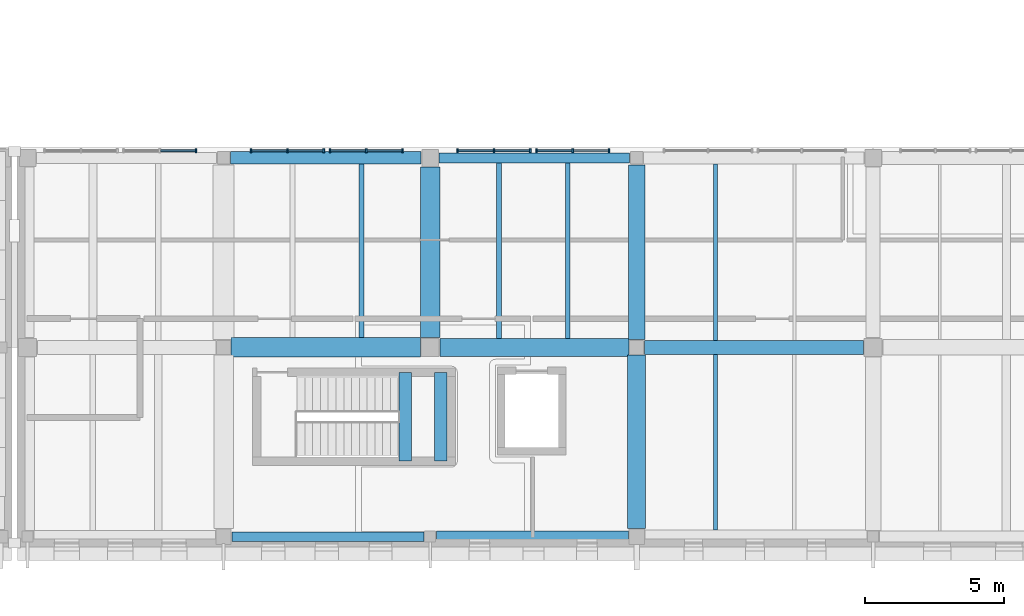
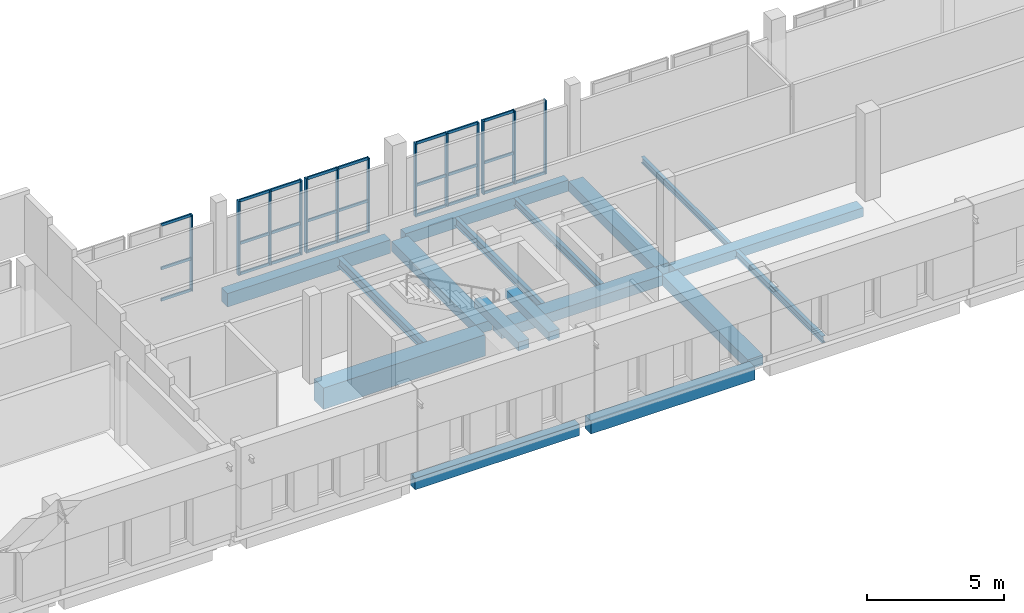
# One storey, part 18 of 76: 38 members, 17 beams, 5 elements without a shape of their own.
"""IFC4 building model written with IfcOpenShell, lengths in metres."""

from ifc_helpers import new_model, si_unit, direction, frame, origin, origin_2d, place, context, subcontext, project, spatial, rectangle, i_section, extrude, material, layer, layer_set, material_profile, profile_set, type_object, element, aggregate, save


model = new_model("IFC4")

# Units and contexts
model_context = context("Model", 3, precision=1e-05, world=origin(), true_north=direction((0.0, 1.0)))
body_context = subcontext(model_context, "Body", "Model", "MODEL_VIEW")
ifc_project = project(units=[si_unit("LENGTHUNIT", "METRE"), si_unit("AREAUNIT", "SQUARE_METRE"), si_unit("VOLUMEUNIT", "CUBIC_METRE"), si_unit("PLANEANGLEUNIT", "RADIAN"), si_unit("MASSUNIT", "GRAM", prefix="KILO")], contexts=[model_context])

# Site, building, storey
site_placement = place(None, origin())
site = spatial("IfcSite", under=ifc_project, at=site_placement, CompositionType="ELEMENT")
building_placement = place(site_placement, origin())
building = spatial("IfcBuilding", under=site, at=building_placement, Name="Vardoun Plaza Health Centre", CompositionType="ELEMENT")
storey_placement = place(building_placement, frame((0.0, 0.0, 4.5)))
storey = spatial("IfcBuildingStorey", under=building, at=storey_placement, Name="L01", CompositionType="ELEMENT", Elevation=4.5)

# Beams
ifc_material_1 = material(Name="Concrete C35/45", Category="concrete")
ifc_material_profile_1 = material_profile(ifc_material_1, rectangle(XDim=0.35009765625, YDim=0.5, at=origin_2d()), Name="RC-BM 350x500")
ifc_profile_set_1 = profile_set([ifc_material_profile_1], Name="Concrete C35/45")
beam_type_1 = type_object("IfcBeamType", Name="B-08", PredefinedType="SPANDREL", material=ifc_profile_set_1)
beam_1_placement = place(storey_placement, frame((113.400146484375, 4.8798828125, -0.544921875), z_axis=(1.0, 0.0, 0.0), x_axis=(0.0, 1.0, 0.0)))
element("IfcBeam", 1, at=beam_1_placement, inside=storey, type_object=beam_type_1, Name="V5 L01 Beam B-V5-L01-X04", PredefinedType="SPANDREL", context=body_context, shape_type="SweptSolid", body=[
    extrude(rectangle(XDim=0.35009765625, YDim=0.5, at=origin_2d()), origin(), (0.0, 0.0, 1.0), 6.9150390625),
])
beam_2_placement = place(storey_placement, frame((120.864990234375, 18.52001953125, -0.544921875), z_axis=(1.0, 0.0, 0.0), x_axis=(0.0, 1.0, 0.0)))
element("IfcBeam", 2, at=beam_2_placement, inside=storey, type_object=beam_type_1, Name="V5 L01 Beam B-V5-L01-X09", PredefinedType="SPANDREL", context=body_context, shape_type="SweptSolid", body=[
    extrude(rectangle(XDim=0.35009765625, YDim=0.5, at=origin_2d()), origin(), (0.0, 0.0, 1.0), 6.864990234375),
])
ifc_material_2 = material(Name="Concrete C35/45", Category="concrete")
ifc_material_profile_2 = material_profile(ifc_material_2, rectangle(XDim=0.419921875, YDim=0.580078125, at=origin_2d()), Name="RC-BM 420x580")
ifc_profile_set_2 = profile_set([ifc_material_profile_2], Name="Concrete C35/45")
beam_type_2 = type_object("IfcBeamType", Name="B-10", PredefinedType="SPANDREL", material=ifc_profile_set_2)
beam_3_placement = place(storey_placement, frame((120.764892578125, 4.8798828125, -0.5849609375), z_axis=(1.0, 0.0, 0.0), x_axis=(0.0, 1.0, 0.0)))
element("IfcBeam", 3, at=beam_3_placement, inside=storey, type_object=beam_type_2, Name="V5 L01 Beam B-V5-L01-X07", PredefinedType="SPANDREL", context=body_context, shape_type="SweptSolid", body=[
    extrude(rectangle(XDim=0.419921875, YDim=0.580078125, at=origin_2d()), origin(), (0.0, 0.0, 1.0), 6.9150390625),
])
ifc_material_3 = material(Name="Concrete C35/45", Category="concrete")
ifc_material_profile_3 = material_profile(ifc_material_3, rectangle(XDim=0.449951171875, YDim=0.3798828125, at=origin_2d()), Name="RC-BM 450x380")
ifc_profile_set_3 = profile_set([ifc_material_profile_3], Name="Concrete C35/45")
beam_type_3 = type_object("IfcBeamType", Name="B-01", PredefinedType="BEAM", material=ifc_profile_set_3)
for number, where, z_axis, x_axis, name in (
    (4, (119.639892578125, 7.60009765625, 1.7099609375), (0.0, 1.0, 0.0), (-1.0, 0.0, 0.0), "Stair ST-C8-L01 Landing Beam 1"),
    (5, (120.919921875, 7.60009765625, 1.7099609375), (0.0, 1.0, 0.0), (-1.0, 0.0, 0.0), "Stair ST-C8-L01 Landing Beam 2"),
):
    element("IfcBeam", number, at=place(storey_placement, frame(where, z_axis=z_axis, x_axis=x_axis)), inside=storey, type_object=beam_type_3, Name=name, PredefinedType="BEAM", context=body_context, shape_type="SweptSolid", body=[
        extrude(rectangle(XDim=0.449951171875, YDim=0.3798828125, at=origin_2d()), origin(), (0.0, 0.0, 1.0), 3.199951171875),
    ])
ifc_material_4 = material(Name="Concrete C35/45", Category="concrete")
ifc_material_profile_4 = material_profile(ifc_material_4, rectangle(XDim=0.449951171875, YDim=0.60009765625, at=origin_2d()), Name="RC-BM 450x600")
ifc_profile_set_4 = profile_set([ifc_material_profile_4], Name="Concrete C35/45")
beam_type_4 = type_object("IfcBeamType", Name="B-11", PredefinedType="SPANDREL", material=ifc_profile_set_4)
beam_4_placement = place(storey_placement, frame((113.35009765625, 18.52001953125, -0.594970703125), z_axis=(1.0, 0.0, 0.0), x_axis=(0.0, 1.0, 0.0)))
element("IfcBeam", 6, at=beam_4_placement, inside=storey, type_object=beam_type_4, Name="V5 L01 Beam B-V5-L01-X06", PredefinedType="SPANDREL", context=body_context, shape_type="SweptSolid", body=[
    extrude(rectangle(XDim=0.449951171875, YDim=0.60009765625, at=origin_2d()), origin(), (0.0, 0.0, 1.0), 6.864990234375),
])
ifc_material_5 = material(Name="Concrete C35/45", Category="concrete")
ifc_material_profile_5 = material_profile(ifc_material_5, rectangle(XDim=0.5, YDim=0.39990234375, at=origin_2d()), Name="RC-BM 500x400")
ifc_profile_set_5 = profile_set([ifc_material_profile_5], Name="Concrete C35/45")
beam_type_5 = type_object("IfcBeamType", Name="B-02", PredefinedType="BEAM", material=ifc_profile_set_5)
beam_5_placement = place(storey_placement, frame((128.2548828125, 11.699951171875, -0.4951171875), z_axis=(1.0, 0.0, 0.0), x_axis=(0.0, 1.0, 0.0)))
element("IfcBeam", 7, at=beam_5_placement, inside=storey, type_object=beam_type_5, Name="V5 L01 Beam B-V5-L01-X11", PredefinedType="BEAM", context=body_context, shape_type="SweptSolid", body=[
    extrude(rectangle(XDim=0.5, YDim=0.39990234375, at=origin_2d()), origin(), (0.0, 0.0, 1.0), 7.89501953125),
])
ifc_material_6 = material(Name="Concrete C35/45", Category="concrete")
ifc_material_profile_6 = material_profile(ifc_material_6, rectangle(XDim=0.60009765625, YDim=0.449951171875, at=origin_2d()), Name="RC-BM 600x450")
ifc_profile_set_6 = profile_set([ifc_material_profile_6], Name="Concrete C35/45")
beam_type_6 = type_object("IfcBeamType", Name="B-04", PredefinedType="BEAM", material=ifc_profile_set_6)
beam_6_placement = place(storey_placement, frame((127.97998046875, 11.97509765625, -0.52001953125), z_axis=(0.0, 1.0, 0.0), x_axis=(-1.0, 0.0, 0.0)))
element("IfcBeam", 8, at=beam_6_placement, inside=storey, type_object=beam_type_6, Name="V5 L01 Beam B-V5-L01-Y31", PredefinedType="BEAM", context=body_context, shape_type="SweptSolid", body=[
    extrude(rectangle(XDim=0.60009765625, YDim=0.449951171875, at=origin_2d()), origin(), (0.0, 0.0, 1.0), 6.294921875),
])
ifc_material_7 = material(Name="Concrete C35/45", Category="concrete")
ifc_material_profile_7 = material_profile(ifc_material_7, rectangle(XDim=0.64990234375, YDim=0.449951171875, at=origin_2d()), Name="RC-BM 650x450")
ifc_profile_set_7 = profile_set([ifc_material_profile_7], Name="Concrete C35/45")
beam_type_7 = type_object("IfcBeamType", Name="B-05", PredefinedType="BEAM", material=ifc_profile_set_7)
beam_7_placement = place(storey_placement, frame((120.889892578125, 11.699951171875, -0.52001953125), z_axis=(1.0, 0.0, 0.0), x_axis=(0.0, 1.0, 0.0)))
element("IfcBeam", 9, at=beam_7_placement, inside=storey, type_object=beam_type_7, Name="V5 L01 Beam B-V5-L01-X08", PredefinedType="BEAM", context=body_context, shape_type="SweptSolid", body=[
    extrude(rectangle(XDim=0.64990234375, YDim=0.449951171875, at=origin_2d()), origin(), (0.0, 0.0, 1.0), 6.815185546875),
])
beam_8_placement = place(storey_placement, frame((127.97998046875, 5.179931640625, -0.52001953125), z_axis=(0.0, 1.0, 0.0), x_axis=(-1.0, 0.0, 0.0)))
element("IfcBeam", 10, at=beam_8_placement, inside=storey, type_object=beam_type_7, Name="V5 L01 Beam B-V5-L01-Y30", PredefinedType="BEAM", context=body_context, shape_type="SweptSolid", body=[
    extrude(rectangle(XDim=0.64990234375, YDim=0.449951171875, at=origin_2d()), origin(), (0.0, 0.0, 1.0), 6.2451171875),
])
ifc_material_8 = material(Name="Concrete C35/45", Category="concrete")
ifc_material_profile_8 = material_profile(ifc_material_8, rectangle(XDim=0.699951171875, YDim=0.449951171875, at=origin_2d()), Name="RC-BM 700x450")
ifc_profile_set_8 = profile_set([ifc_material_profile_8], Name="Concrete C35/45")
beam_type_8 = type_object("IfcBeamType", Name="B-06", PredefinedType="BEAM", material=ifc_profile_set_8)
beam_9_placement = place(storey_placement, frame((120.5400390625, 12.050048828125, -0.52001953125), z_axis=(0.0, 1.0, 0.0), x_axis=(-1.0, 0.0, 0.0)))
element("IfcBeam", 11, at=beam_9_placement, inside=storey, type_object=beam_type_8, Name="V5 L01 Beam B-V5-L01-Y29", PredefinedType="BEAM", context=body_context, shape_type="SweptSolid", body=[
    extrude(rectangle(XDim=0.699951171875, YDim=0.449951171875, at=origin_2d()), origin(), (0.0, 0.0, 1.0), 6.14501953125),
])
ifc_material_9 = material(Name="Concrete C40/50", Category="concrete")
ifc_material_profile_9 = material_profile(ifc_material_9, rectangle(XDim=0.699951171875, YDim=0.949951171875, at=origin_2d()), Name="RC-BM 700x950")
ifc_profile_set_9 = profile_set([ifc_material_profile_9], Name="Concrete C40/50")
beam_type_9 = type_object("IfcBeamType", Name="B-16", PredefinedType="LINTEL", material=ifc_profile_set_9)
beam_10_placement = place(storey_placement, frame((113.375, 11.699951171875, -0.77001953125), z_axis=(1.0, 0.0, 0.0), x_axis=(0.0, 1.0, 0.0)))
element("IfcBeam", 12, at=beam_10_placement, inside=storey, type_object=beam_type_9, Name="V5 L01 Beam B-V5-L01-X05", PredefinedType="LINTEL", context=body_context, shape_type="SweptSolid", body=[
    extrude(rectangle(XDim=0.699951171875, YDim=0.949951171875, at=origin_2d()), origin(), (0.0, 0.0, 1.0), 6.815185546875),
])
ifc_material_10 = material(Name="Steel S355J2", Category="steel")
ifc_material_profile_10 = material_profile(ifc_material_10, i_section(OverallWidth=0.135009765625, OverallDepth=0.27001953125, WebThickness=0.006591796875, FlangeThickness=0.01025390625, FilletRadius=0.014892578125, at=origin_2d()), Name="IPE 270")
ifc_profile_set_10 = profile_set([ifc_material_profile_10], Name="Steel S355J2")
beam_type_10 = type_object("IfcBeamType", Name="SB-16", PredefinedType="JOIST", material=ifc_profile_set_10)
beam_11_placement = place(storey_placement, frame((130.819580078125, 11.949951171875, -0.429931640625), z_axis=(0.0, 1.0, 0.0), x_axis=(-1.0, 0.0, 0.0)))
element("IfcBeam", 13, at=beam_11_placement, inside=storey, type_object=beam_type_10, Name="V5 L01 Secondary Floor Beam SJ-V5-L01-10", PredefinedType="JOIST", context=body_context, shape_type="SweptSolid", body=[
    extrude(i_section(OverallWidth=0.135009765625, OverallDepth=0.27001953125, WebThickness=0.006591796875, FlangeThickness=0.01025390625, FilletRadius=0.014892578125, at=origin_2d()), origin(), (0.0, 0.0, 1.0), 6.360107421875),
])
ifc_material_11 = material(Name="Steel S355J2", Category="steel")
ifc_material_profile_11 = material_profile(ifc_material_11, i_section(OverallWidth=0.14990234375, OverallDepth=0.300048828125, WebThickness=0.007080078125, FlangeThickness=0.0107421875, FilletRadius=0.014892578125, at=origin_2d()), Name="IPE 300")
ifc_profile_set_11 = profile_set([ifc_material_profile_11], Name="Steel S355J2")
beam_type_11 = type_object("IfcBeamType", Name="SB-15", PredefinedType="JOIST", material=ifc_profile_set_11)
beam_12_placement = place(storey_placement, frame((130.819580078125, 5.1201171875, -0.445068359375), z_axis=(0.0, 1.0, 0.0), x_axis=(-1.0, 0.0, 0.0)))
element("IfcBeam", 14, at=beam_12_placement, inside=storey, type_object=beam_type_11, Name="V5 L01 Secondary Floor Beam SJ-V5-L01-09", PredefinedType="JOIST", context=body_context, shape_type="SweptSolid", body=[
    extrude(i_section(OverallWidth=0.14990234375, OverallDepth=0.300048828125, WebThickness=0.007080078125, FlangeThickness=0.0107421875, FilletRadius=0.014892578125, at=origin_2d()), origin(), (0.0, 0.0, 1.0), 6.329833984375),
])
ifc_material_12 = material(Name="Steel S355J2", Category="steel")
ifc_material_profile_12 = material_profile(ifc_material_12, i_section(OverallWidth=0.159912109375, OverallDepth=0.330078125, WebThickness=0.007568359375, FlangeThickness=0.011474609375, FilletRadius=0.01806640625, at=origin_2d()), Name="IPE 330")
ifc_profile_set_12 = profile_set([ifc_material_profile_12], Name="Steel S355J2")
beam_type_12 = type_object("IfcBeamType", Name="SB-14", PredefinedType="JOIST", material=ifc_profile_set_12)
beam_13_placement = place(storey_placement, frame((125.500244140625, 12.02490234375, -0.4599609375), z_axis=(0.0, 1.0, 0.0), x_axis=(-1.0, 0.0, 0.0)))
element("IfcBeam", 15, at=beam_13_placement, inside=storey, type_object=beam_type_12, Name="V5 L01 Secondary Floor Beam SJ-V5-L01-08", PredefinedType="JOIST", context=body_context, shape_type="SweptSolid", body=[
    extrude(i_section(OverallWidth=0.159912109375, OverallDepth=0.330078125, WebThickness=0.007568359375, FlangeThickness=0.011474609375, FilletRadius=0.01806640625, at=origin_2d()), origin(), (0.0, 0.0, 1.0), 6.320068359375),
])
ifc_material_13 = material(Name="Steel S355J2", Category="steel")
ifc_material_profile_13 = material_profile(ifc_material_13, i_section(OverallWidth=0.169921875, OverallDepth=0.360107421875, WebThickness=0.008056640625, FlangeThickness=0.0126953125, FilletRadius=0.01806640625, at=origin_2d()), Name="IPE 360")
ifc_profile_set_13 = profile_set([ifc_material_profile_13], Name="Steel S355J2")
beam_type_13 = type_object("IfcBeamType", Name="SB-13", PredefinedType="JOIST", material=ifc_profile_set_13)
beam_14_placement = place(storey_placement, frame((123.019775390625, 12.02490234375, -0.47509765625), z_axis=(0.0, 1.0, 0.0), x_axis=(-1.0, 0.0, 0.0)))
element("IfcBeam", 16, at=beam_14_placement, inside=storey, type_object=beam_type_13, Name="V5 L01 Secondary Floor Beam SJ-V5-L01-07", PredefinedType="JOIST", context=body_context, shape_type="SweptSolid", body=[
    extrude(i_section(OverallWidth=0.169921875, OverallDepth=0.360107421875, WebThickness=0.008056640625, FlangeThickness=0.0126953125, FilletRadius=0.01806640625, at=origin_2d()), origin(), (0.0, 0.0, 1.0), 6.320068359375),
])
ifc_material_14 = material(Name="Steel S355J2", Category="steel")
ifc_material_profile_14 = material_profile(ifc_material_14, i_section(OverallWidth=0.179931640625, OverallDepth=0.39990234375, WebThickness=0.008544921875, FlangeThickness=0.013427734375, FilletRadius=0.02099609375, at=origin_2d()), Name="IPE 400")
ifc_profile_set_14 = profile_set([ifc_material_profile_14], Name="Steel S355J2")
beam_type_14 = type_object("IfcBeamType", Name="SB-12", PredefinedType="BEAM", material=ifc_profile_set_14)
beam_15_placement = place(storey_placement, frame((118.060302734375, 12.050048828125, -0.4951171875), z_axis=(0.0, 1.0, 0.0), x_axis=(-1.0, 0.0, 0.0)))
element("IfcBeam", 17, at=beam_15_placement, inside=storey, type_object=beam_type_14, Name="V5 L01 Secondary Floor Beam SJ-V5-L01-06", PredefinedType="BEAM", context=body_context, shape_type="SweptSolid", body=[
    extrude(i_section(OverallWidth=0.179931640625, OverallDepth=0.39990234375, WebThickness=0.008544921875, FlangeThickness=0.013427734375, FilletRadius=0.02099609375, at=origin_2d()), origin(), (0.0, 0.0, 1.0), 6.244873046875),
])

# Curtain wall, member
ifc_material_15 = material(Name="Aluminium Alloy EN AW-6063-T6 and Low-E Glass", Category="aluminium")
ifc_layer = layer(ifc_material_15, 0.14990234375)
ifc_layer_set = layer_set([ifc_layer], Name="Aluminium Alloy EN AW-6063-T6 and Low-E Glass")
curtain_wall_type = type_object("IfcCurtainWallType", Name="CW-03", PredefinedType="NOTDEFINED", material=ifc_layer_set)
curtain_wall_1_placement = place(storey_placement, origin())
curtain_wall_1 = element("IfcCurtainWall", 18, at=curtain_wall_1_placement, inside=storey, type_object=curtain_wall_type, Name="Curtain Wall CW-V5-150", PredefinedType="NOTDEFINED")
ifc_material_16 = material(Name="Aluminium Alloy EN AW-6063-T6", Category="aluminium")
ifc_material_profile_15 = material_profile(ifc_material_16, rectangle(XDim=0.159912109375, YDim=0.06005859375, at=origin_2d()), Name="CWM 60x160")
ifc_profile_set_15 = profile_set([ifc_material_profile_15], Name="Aluminium Alloy EN AW-6063-T6")
member_type_1 = type_object("IfcMemberType", Name="CW-M1", PredefinedType="MULLION", material=ifc_profile_set_15)
member_1_placement = place(storey_placement, frame((112.110107421875, 18.780029296875, 0.0), z_axis=(0.0, 0.0, 1.0), x_axis=(0.0, 1.0, 0.0)))
member_1 = element("IfcMember", 19, at=member_1_placement, type_object=member_type_1, Name="CW-V5-150 mullion 3", PredefinedType="MULLION", context=body_context, shape_type="SweptSolid", body=[
    extrude(rectangle(XDim=0.159912109375, YDim=0.06005859375, at=origin_2d()), origin(), (0.0, 0.0, 1.0), 3.389892578125),
])

# Curtain wall, members
curtain_wall_2_placement = place(storey_placement, origin())
curtain_wall_2 = element("IfcCurtainWall", 20, at=curtain_wall_2_placement, inside=storey, type_object=curtain_wall_type, Name="Curtain Wall CW-V5-151", PredefinedType="NOTDEFINED")
member_2_placement = place(storey_placement, frame((114.090087890625, 18.780029296875, 0.0), z_axis=(0.0, 0.0, 1.0), x_axis=(0.0, 1.0, 0.0)))
member_2 = element("IfcMember", 21, at=member_2_placement, type_object=member_type_1, Name="CW-V5-151 mullion 1", PredefinedType="MULLION", context=body_context, shape_type="SweptSolid", body=[
    extrude(rectangle(XDim=0.159912109375, YDim=0.06005859375, at=origin_2d()), origin(), (0.0, 0.0, 1.0), 3.31005859375),
])
member_3_placement = place(storey_placement, frame((115.400146484375, 18.780029296875, 0.0), z_axis=(0.0, 0.0, 1.0), x_axis=(0.0, 1.0, 0.0)))
member_3 = element("IfcMember", 22, at=member_3_placement, type_object=member_type_1, Name="CW-V5-151 mullion 2", PredefinedType="MULLION", context=body_context, shape_type="SweptSolid", body=[
    extrude(rectangle(XDim=0.159912109375, YDim=0.06005859375, at=origin_2d()), origin(), (0.0, 0.0, 1.0), 3.31005859375),
])
member_4_placement = place(storey_placement, frame((116.7099609375, 18.780029296875, 0.0), z_axis=(0.0, 0.0, 1.0), x_axis=(0.0, 1.0, 0.0)))
member_4 = element("IfcMember", 23, at=member_4_placement, type_object=member_type_1, Name="CW-V5-151 mullion 3", PredefinedType="MULLION", context=body_context, shape_type="SweptSolid", body=[
    extrude(rectangle(XDim=0.159912109375, YDim=0.06005859375, at=origin_2d()), origin(), (0.0, 0.0, 1.0), 3.31005859375),
])

curtain_wall_3_placement = place(storey_placement, origin())
curtain_wall_3 = element("IfcCurtainWall", 24, at=curtain_wall_3_placement, inside=storey, type_object=curtain_wall_type, Name="Curtain Wall CW-V5-152", PredefinedType="NOTDEFINED")
member_5_placement = place(storey_placement, frame((116.929931640625, 18.780029296875, 0.0), z_axis=(0.0, 0.0, 1.0), x_axis=(0.0, 1.0, 0.0)))
member_5 = element("IfcMember", 25, at=member_5_placement, type_object=member_type_1, Name="CW-V5-152 mullion 1", PredefinedType="MULLION", context=body_context, shape_type="SweptSolid", body=[
    extrude(rectangle(XDim=0.159912109375, YDim=0.06005859375, at=origin_2d()), origin(), (0.0, 0.0, 1.0), 3.31005859375),
])
member_6_placement = place(storey_placement, frame((118.239990234375, 18.780029296875, 0.0), z_axis=(0.0, 0.0, 1.0), x_axis=(0.0, 1.0, 0.0)))
member_6 = element("IfcMember", 26, at=member_6_placement, type_object=member_type_1, Name="CW-V5-152 mullion 2", PredefinedType="MULLION", context=body_context, shape_type="SweptSolid", body=[
    extrude(rectangle(XDim=0.159912109375, YDim=0.06005859375, at=origin_2d()), origin(), (0.0, 0.0, 1.0), 3.31005859375),
])
member_7_placement = place(storey_placement, frame((119.550048828125, 18.780029296875, 0.0), z_axis=(0.0, 0.0, 1.0), x_axis=(0.0, 1.0, 0.0)))
member_7 = element("IfcMember", 27, at=member_7_placement, type_object=member_type_1, Name="CW-V5-152 mullion 3", PredefinedType="MULLION", context=body_context, shape_type="SweptSolid", body=[
    extrude(rectangle(XDim=0.159912109375, YDim=0.06005859375, at=origin_2d()), origin(), (0.0, 0.0, 1.0), 3.31005859375),
])

curtain_wall_4_placement = place(storey_placement, origin())
curtain_wall_4 = element("IfcCurtainWall", 28, at=curtain_wall_4_placement, inside=storey, type_object=curtain_wall_type, Name="Curtain Wall CW-V5-153", PredefinedType="NOTDEFINED")
member_8_placement = place(storey_placement, frame((121.530029296875, 18.780029296875, 0.0), z_axis=(0.0, 0.0, 1.0), x_axis=(0.0, 1.0, 0.0)))
member_8 = element("IfcMember", 29, at=member_8_placement, type_object=member_type_1, Name="CW-V5-153 mullion 1", PredefinedType="MULLION", context=body_context, shape_type="SweptSolid", body=[
    extrude(rectangle(XDim=0.159912109375, YDim=0.06005859375, at=origin_2d()), origin(), (0.0, 0.0, 1.0), 3.27001953125),
])
member_9_placement = place(storey_placement, frame((122.840087890625, 18.780029296875, 0.0), z_axis=(0.0, 0.0, 1.0), x_axis=(0.0, 1.0, 0.0)))
member_9 = element("IfcMember", 30, at=member_9_placement, type_object=member_type_1, Name="CW-V5-153 mullion 2", PredefinedType="MULLION", context=body_context, shape_type="SweptSolid", body=[
    extrude(rectangle(XDim=0.159912109375, YDim=0.06005859375, at=origin_2d()), origin(), (0.0, 0.0, 1.0), 3.27001953125),
])
member_10_placement = place(storey_placement, frame((124.150146484375, 18.780029296875, 0.0), z_axis=(0.0, 0.0, 1.0), x_axis=(0.0, 1.0, 0.0)))
member_10 = element("IfcMember", 31, at=member_10_placement, type_object=member_type_1, Name="CW-V5-153 mullion 3", PredefinedType="MULLION", context=body_context, shape_type="SweptSolid", body=[
    extrude(rectangle(XDim=0.159912109375, YDim=0.06005859375, at=origin_2d()), origin(), (0.0, 0.0, 1.0), 3.27001953125),
])

curtain_wall_5_placement = place(storey_placement, origin())
curtain_wall_5 = element("IfcCurtainWall", 32, at=curtain_wall_5_placement, inside=storey, type_object=curtain_wall_type, Name="Curtain Wall CW-V5-154", PredefinedType="NOTDEFINED")
member_11_placement = place(storey_placement, frame((124.3701171875, 18.780029296875, 0.0), z_axis=(0.0, 0.0, 1.0), x_axis=(0.0, 1.0, 0.0)))
member_11 = element("IfcMember", 33, at=member_11_placement, type_object=member_type_1, Name="CW-V5-154 mullion 1", PredefinedType="MULLION", context=body_context, shape_type="SweptSolid", body=[
    extrude(rectangle(XDim=0.159912109375, YDim=0.06005859375, at=origin_2d()), origin(), (0.0, 0.0, 1.0), 3.27001953125),
])
member_12_placement = place(storey_placement, frame((125.679931640625, 18.780029296875, 0.0), z_axis=(0.0, 0.0, 1.0), x_axis=(0.0, 1.0, 0.0)))
member_12 = element("IfcMember", 34, at=member_12_placement, type_object=member_type_1, Name="CW-V5-154 mullion 2", PredefinedType="MULLION", context=body_context, shape_type="SweptSolid", body=[
    extrude(rectangle(XDim=0.159912109375, YDim=0.06005859375, at=origin_2d()), origin(), (0.0, 0.0, 1.0), 3.27001953125),
])
member_13_placement = place(storey_placement, frame((126.989990234375, 18.780029296875, 0.0), z_axis=(0.0, 0.0, 1.0), x_axis=(0.0, 1.0, 0.0)))
member_13 = element("IfcMember", 35, at=member_13_placement, type_object=member_type_1, Name="CW-V5-154 mullion 3", PredefinedType="MULLION", context=body_context, shape_type="SweptSolid", body=[
    extrude(rectangle(XDim=0.159912109375, YDim=0.06005859375, at=origin_2d()), origin(), (0.0, 0.0, 1.0), 3.27001953125),
])

# Member
ifc_material_17 = material(Name="Aluminium Alloy EN AW-6063-T6", Category="aluminium")
ifc_material_profile_16 = material_profile(ifc_material_17, rectangle(XDim=0.06005859375, YDim=0.1201171875, at=origin_2d()), Name="CWT 60x120")
ifc_profile_set_16 = profile_set([ifc_material_profile_16], Name="Aluminium Alloy EN AW-6063-T6")
member_type_2 = type_object("IfcMemberType", Name="CW-T1", PredefinedType="USERDEFINED", material=ifc_profile_set_16)
member_14_placement = place(storey_placement, frame((110.830078125, 18.780029296875, 0.030029296875), z_axis=(1.0, 0.0, 0.0), x_axis=(0.0, 1.0, 0.0)))
member_14 = element("IfcMember", 36, at=member_14_placement, type_object=member_type_2, Name="CW-V5-150 transom 2.1", ObjectType="TRANSOM", PredefinedType="USERDEFINED", context=body_context, shape_type="SweptSolid", body=[
    extrude(rectangle(XDim=0.06005859375, YDim=0.1201171875, at=origin_2d()), origin(), (0.0, 0.0, 1.0), 1.25),
])

member_15_placement = place(storey_placement, frame((110.830078125, 18.780029296875, 1.423828125), z_axis=(1.0, 0.0, 0.0), x_axis=(0.0, 1.0, 0.0)))
member_15 = element("IfcMember", 37, at=member_15_placement, type_object=member_type_2, Name="CW-V5-150 transom 2.2", ObjectType="TRANSOM", PredefinedType="USERDEFINED", context=body_context, shape_type="SweptSolid", body=[
    extrude(rectangle(XDim=0.06005859375, YDim=0.1201171875, at=origin_2d()), origin(), (0.0, 0.0, 1.0), 1.25),
])

member_16_placement = place(storey_placement, frame((110.830078125, 18.780029296875, 3.360107421875), z_axis=(1.0, 0.0, 0.0), x_axis=(0.0, 1.0, 0.0)))
member_16 = element("IfcMember", 38, at=member_16_placement, type_object=member_type_2, Name="CW-V5-150 transom 2.3", ObjectType="TRANSOM", PredefinedType="USERDEFINED", context=body_context, shape_type="SweptSolid", body=[
    extrude(rectangle(XDim=0.06005859375, YDim=0.1201171875, at=origin_2d()), origin(), (0.0, 0.0, 1.0), 1.25),
])

aggregate(curtain_wall_1, [member_1, member_14, member_15, member_16])

member_17_placement = place(storey_placement, frame((114.1201171875, 18.780029296875, 0.030029296875), z_axis=(1.0, 0.0, 0.0), x_axis=(0.0, 1.0, 0.0)))
member_17 = element("IfcMember", 39, at=member_17_placement, type_object=member_type_2, Name="CW-V5-151 transom 1.1", ObjectType="TRANSOM", PredefinedType="USERDEFINED", context=body_context, shape_type="SweptSolid", body=[
    extrude(rectangle(XDim=0.06005859375, YDim=0.1201171875, at=origin_2d()), origin(), (0.0, 0.0, 1.0), 1.25),
])

member_18_placement = place(storey_placement, frame((114.1201171875, 18.780029296875, 1.39013671875), z_axis=(1.0, 0.0, 0.0), x_axis=(0.0, 1.0, 0.0)))
member_18 = element("IfcMember", 40, at=member_18_placement, type_object=member_type_2, Name="CW-V5-151 transom 1.2", ObjectType="TRANSOM", PredefinedType="USERDEFINED", context=body_context, shape_type="SweptSolid", body=[
    extrude(rectangle(XDim=0.06005859375, YDim=0.1201171875, at=origin_2d()), origin(), (0.0, 0.0, 1.0), 1.25),
])

member_19_placement = place(storey_placement, frame((114.1201171875, 18.780029296875, 3.280029296875), z_axis=(1.0, 0.0, 0.0), x_axis=(0.0, 1.0, 0.0)))
member_19 = element("IfcMember", 41, at=member_19_placement, type_object=member_type_2, Name="CW-V5-151 transom 1.3", ObjectType="TRANSOM", PredefinedType="USERDEFINED", context=body_context, shape_type="SweptSolid", body=[
    extrude(rectangle(XDim=0.06005859375, YDim=0.1201171875, at=origin_2d()), origin(), (0.0, 0.0, 1.0), 1.25),
])

member_20_placement = place(storey_placement, frame((115.429931640625, 18.780029296875, 0.030029296875), z_axis=(1.0, 0.0, 0.0), x_axis=(0.0, 1.0, 0.0)))
member_20 = element("IfcMember", 42, at=member_20_placement, type_object=member_type_2, Name="CW-V5-151 transom 2.1", ObjectType="TRANSOM", PredefinedType="USERDEFINED", context=body_context, shape_type="SweptSolid", body=[
    extrude(rectangle(XDim=0.06005859375, YDim=0.1201171875, at=origin_2d()), origin(), (0.0, 0.0, 1.0), 1.25),
])

member_21_placement = place(storey_placement, frame((115.429931640625, 18.780029296875, 1.39013671875), z_axis=(1.0, 0.0, 0.0), x_axis=(0.0, 1.0, 0.0)))
member_21 = element("IfcMember", 43, at=member_21_placement, type_object=member_type_2, Name="CW-V5-151 transom 2.2", ObjectType="TRANSOM", PredefinedType="USERDEFINED", context=body_context, shape_type="SweptSolid", body=[
    extrude(rectangle(XDim=0.06005859375, YDim=0.1201171875, at=origin_2d()), origin(), (0.0, 0.0, 1.0), 1.25),
])

member_22_placement = place(storey_placement, frame((115.429931640625, 18.780029296875, 3.280029296875), z_axis=(1.0, 0.0, 0.0), x_axis=(0.0, 1.0, 0.0)))
member_22 = element("IfcMember", 44, at=member_22_placement, type_object=member_type_2, Name="CW-V5-151 transom 2.3", ObjectType="TRANSOM", PredefinedType="USERDEFINED", context=body_context, shape_type="SweptSolid", body=[
    extrude(rectangle(XDim=0.06005859375, YDim=0.1201171875, at=origin_2d()), origin(), (0.0, 0.0, 1.0), 1.25),
])

aggregate(curtain_wall_2, [member_2, member_3, member_4, member_17, member_18, member_19, member_20, member_21, member_22])

member_23_placement = place(storey_placement, frame((116.9599609375, 18.780029296875, 0.030029296875), z_axis=(1.0, 0.0, 0.0), x_axis=(0.0, 1.0, 0.0)))
member_23 = element("IfcMember", 45, at=member_23_placement, type_object=member_type_2, Name="CW-V5-152 transom 1.1", ObjectType="TRANSOM", PredefinedType="USERDEFINED", context=body_context, shape_type="SweptSolid", body=[
    extrude(rectangle(XDim=0.06005859375, YDim=0.1201171875, at=origin_2d()), origin(), (0.0, 0.0, 1.0), 1.25),
])

member_24_placement = place(storey_placement, frame((116.9599609375, 18.780029296875, 1.39013671875), z_axis=(1.0, 0.0, 0.0), x_axis=(0.0, 1.0, 0.0)))
member_24 = element("IfcMember", 46, at=member_24_placement, type_object=member_type_2, Name="CW-V5-152 transom 1.2", ObjectType="TRANSOM", PredefinedType="USERDEFINED", context=body_context, shape_type="SweptSolid", body=[
    extrude(rectangle(XDim=0.06005859375, YDim=0.1201171875, at=origin_2d()), origin(), (0.0, 0.0, 1.0), 1.25),
])

member_25_placement = place(storey_placement, frame((116.9599609375, 18.780029296875, 3.280029296875), z_axis=(1.0, 0.0, 0.0), x_axis=(0.0, 1.0, 0.0)))
member_25 = element("IfcMember", 47, at=member_25_placement, type_object=member_type_2, Name="CW-V5-152 transom 1.3", ObjectType="TRANSOM", PredefinedType="USERDEFINED", context=body_context, shape_type="SweptSolid", body=[
    extrude(rectangle(XDim=0.06005859375, YDim=0.1201171875, at=origin_2d()), origin(), (0.0, 0.0, 1.0), 1.25),
])

member_26_placement = place(storey_placement, frame((118.27001953125, 18.780029296875, 0.030029296875), z_axis=(1.0, 0.0, 0.0), x_axis=(0.0, 1.0, 0.0)))
member_26 = element("IfcMember", 48, at=member_26_placement, type_object=member_type_2, Name="CW-V5-152 transom 2.1", ObjectType="TRANSOM", PredefinedType="USERDEFINED", context=body_context, shape_type="SweptSolid", body=[
    extrude(rectangle(XDim=0.06005859375, YDim=0.1201171875, at=origin_2d()), origin(), (0.0, 0.0, 1.0), 1.25),
])

member_27_placement = place(storey_placement, frame((118.27001953125, 18.780029296875, 1.39013671875), z_axis=(1.0, 0.0, 0.0), x_axis=(0.0, 1.0, 0.0)))
member_27 = element("IfcMember", 49, at=member_27_placement, type_object=member_type_2, Name="CW-V5-152 transom 2.2", ObjectType="TRANSOM", PredefinedType="USERDEFINED", context=body_context, shape_type="SweptSolid", body=[
    extrude(rectangle(XDim=0.06005859375, YDim=0.1201171875, at=origin_2d()), origin(), (0.0, 0.0, 1.0), 1.25),
])

member_28_placement = place(storey_placement, frame((118.27001953125, 18.780029296875, 3.280029296875), z_axis=(1.0, 0.0, 0.0), x_axis=(0.0, 1.0, 0.0)))
member_28 = element("IfcMember", 50, at=member_28_placement, type_object=member_type_2, Name="CW-V5-152 transom 2.3", ObjectType="TRANSOM", PredefinedType="USERDEFINED", context=body_context, shape_type="SweptSolid", body=[
    extrude(rectangle(XDim=0.06005859375, YDim=0.1201171875, at=origin_2d()), origin(), (0.0, 0.0, 1.0), 1.25),
])

aggregate(curtain_wall_3, [member_5, member_6, member_7, member_23, member_24, member_25, member_26, member_27, member_28])

member_29_placement = place(storey_placement, frame((121.56005859375, 18.780029296875, 0.030029296875), z_axis=(1.0, 0.0, 0.0), x_axis=(0.0, 1.0, 0.0)))
member_29 = element("IfcMember", 51, at=member_29_placement, type_object=member_type_2, Name="CW-V5-153 transom 1.1", ObjectType="TRANSOM", PredefinedType="USERDEFINED", context=body_context, shape_type="SweptSolid", body=[
    extrude(rectangle(XDim=0.06005859375, YDim=0.1201171875, at=origin_2d()), origin(), (0.0, 0.0, 1.0), 1.25),
])

member_30_placement = place(storey_placement, frame((121.56005859375, 18.780029296875, 1.373291015625), z_axis=(1.0, 0.0, 0.0), x_axis=(0.0, 1.0, 0.0)))
member_30 = element("IfcMember", 52, at=member_30_placement, type_object=member_type_2, Name="CW-V5-153 transom 1.2", ObjectType="TRANSOM", PredefinedType="USERDEFINED", context=body_context, shape_type="SweptSolid", body=[
    extrude(rectangle(XDim=0.06005859375, YDim=0.1201171875, at=origin_2d()), origin(), (0.0, 0.0, 1.0), 1.25),
])

member_31_placement = place(storey_placement, frame((121.56005859375, 18.780029296875, 3.239990234375), z_axis=(1.0, 0.0, 0.0), x_axis=(0.0, 1.0, 0.0)))
member_31 = element("IfcMember", 53, at=member_31_placement, type_object=member_type_2, Name="CW-V5-153 transom 1.3", ObjectType="TRANSOM", PredefinedType="USERDEFINED", context=body_context, shape_type="SweptSolid", body=[
    extrude(rectangle(XDim=0.06005859375, YDim=0.1201171875, at=origin_2d()), origin(), (0.0, 0.0, 1.0), 1.25),
])

member_32_placement = place(storey_placement, frame((122.8701171875, 18.780029296875, 0.030029296875), z_axis=(1.0, 0.0, 0.0), x_axis=(0.0, 1.0, 0.0)))
member_32 = element("IfcMember", 54, at=member_32_placement, type_object=member_type_2, Name="CW-V5-153 transom 2.1", ObjectType="TRANSOM", PredefinedType="USERDEFINED", context=body_context, shape_type="SweptSolid", body=[
    extrude(rectangle(XDim=0.06005859375, YDim=0.1201171875, at=origin_2d()), origin(), (0.0, 0.0, 1.0), 1.25),
])

member_33_placement = place(storey_placement, frame((122.8701171875, 18.780029296875, 1.373291015625), z_axis=(1.0, 0.0, 0.0), x_axis=(0.0, 1.0, 0.0)))
member_33 = element("IfcMember", 55, at=member_33_placement, type_object=member_type_2, Name="CW-V5-153 transom 2.2", ObjectType="TRANSOM", PredefinedType="USERDEFINED", context=body_context, shape_type="SweptSolid", body=[
    extrude(rectangle(XDim=0.06005859375, YDim=0.1201171875, at=origin_2d()), origin(), (0.0, 0.0, 1.0), 1.25),
])

member_34_placement = place(storey_placement, frame((122.8701171875, 18.780029296875, 3.239990234375), z_axis=(1.0, 0.0, 0.0), x_axis=(0.0, 1.0, 0.0)))
member_34 = element("IfcMember", 56, at=member_34_placement, type_object=member_type_2, Name="CW-V5-153 transom 2.3", ObjectType="TRANSOM", PredefinedType="USERDEFINED", context=body_context, shape_type="SweptSolid", body=[
    extrude(rectangle(XDim=0.06005859375, YDim=0.1201171875, at=origin_2d()), origin(), (0.0, 0.0, 1.0), 1.25),
])

aggregate(curtain_wall_4, [member_8, member_9, member_10, member_29, member_30, member_31, member_32, member_33, member_34])

member_35_placement = place(storey_placement, frame((124.400146484375, 18.780029296875, 0.030029296875), z_axis=(1.0, 0.0, 0.0), x_axis=(0.0, 1.0, 0.0)))
member_35 = element("IfcMember", 57, at=member_35_placement, type_object=member_type_2, Name="CW-V5-154 transom 1.1", ObjectType="TRANSOM", PredefinedType="USERDEFINED", context=body_context, shape_type="SweptSolid", body=[
    extrude(rectangle(XDim=0.06005859375, YDim=0.1201171875, at=origin_2d()), origin(), (0.0, 0.0, 1.0), 1.25),
])

member_36_placement = place(storey_placement, frame((124.400146484375, 18.780029296875, 1.373291015625), z_axis=(1.0, 0.0, 0.0), x_axis=(0.0, 1.0, 0.0)))
member_36 = element("IfcMember", 58, at=member_36_placement, type_object=member_type_2, Name="CW-V5-154 transom 1.2", ObjectType="TRANSOM", PredefinedType="USERDEFINED", context=body_context, shape_type="SweptSolid", body=[
    extrude(rectangle(XDim=0.06005859375, YDim=0.1201171875, at=origin_2d()), origin(), (0.0, 0.0, 1.0), 1.25),
])

member_37_placement = place(storey_placement, frame((124.400146484375, 18.780029296875, 3.239990234375), z_axis=(1.0, 0.0, 0.0), x_axis=(0.0, 1.0, 0.0)))
member_37 = element("IfcMember", 59, at=member_37_placement, type_object=member_type_2, Name="CW-V5-154 transom 1.3", ObjectType="TRANSOM", PredefinedType="USERDEFINED", context=body_context, shape_type="SweptSolid", body=[
    extrude(rectangle(XDim=0.06005859375, YDim=0.1201171875, at=origin_2d()), origin(), (0.0, 0.0, 1.0), 1.25),
])

member_38_placement = place(storey_placement, frame((125.7099609375, 18.780029296875, 0.030029296875), z_axis=(1.0, 0.0, 0.0), x_axis=(0.0, 1.0, 0.0)))
member_38 = element("IfcMember", 60, at=member_38_placement, type_object=member_type_2, Name="CW-V5-154 transom 2.1", ObjectType="TRANSOM", PredefinedType="USERDEFINED", context=body_context, shape_type="SweptSolid", body=[
    extrude(rectangle(XDim=0.06005859375, YDim=0.1201171875, at=origin_2d()), origin(), (0.0, 0.0, 1.0), 1.25),
])

aggregate(curtain_wall_5, [member_11, member_12, member_13, member_35, member_36, member_37, member_38])

save(model, "model.ifc")
